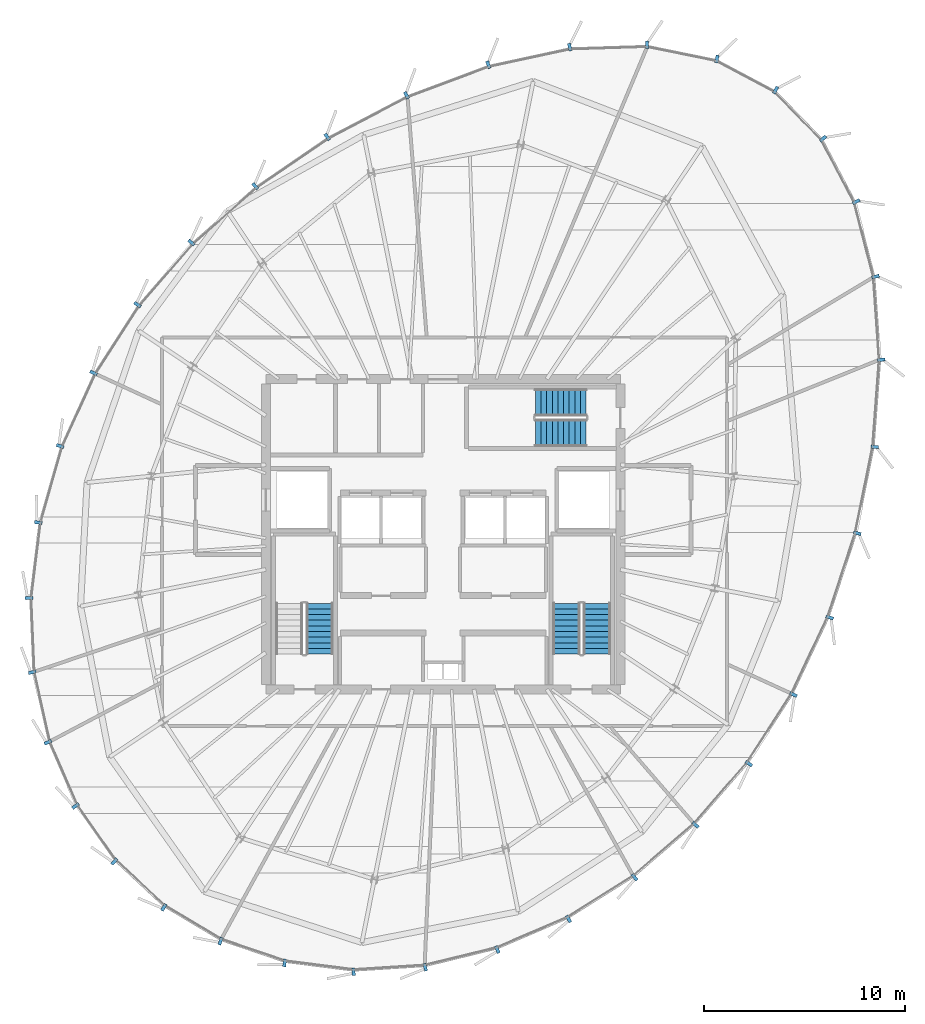
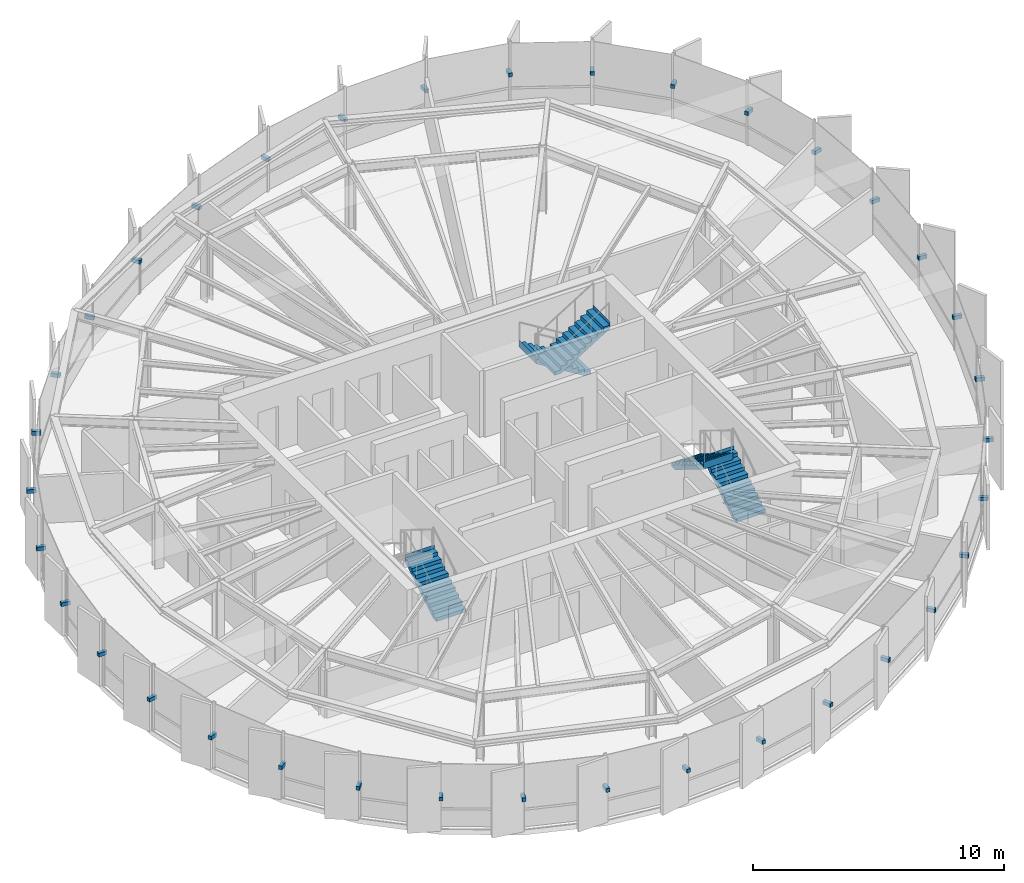
# One storey, part 31 of 35: 36 discrete accessories, 5 stair flights, 3 elements without a shape of their own.
"""IFC4 building model written with IfcOpenShell, lengths in metres."""

from ifc_helpers import new_model, si_unit, direction, frame, origin, origin_2d, place, context, subcontext, project, spatial, polyline, rectangle, outline, extrude, source, transform, mapped, material, type_object, element, aggregate, save


model = new_model("IFC4")

# Units and contexts
model_context = context("Model", 3, precision=1e-05, world=origin(), true_north=direction((0.0, 1.0)))
body_context = subcontext(model_context, "Body", "Model", "MODEL_VIEW")
ifc_project = project(units=[si_unit("LENGTHUNIT", "METRE"), si_unit("AREAUNIT", "SQUARE_METRE"), si_unit("VOLUMEUNIT", "CUBIC_METRE"), si_unit("PLANEANGLEUNIT", "RADIAN"), si_unit("MASSUNIT", "GRAM", prefix="KILO"), si_unit("THERMODYNAMICTEMPERATUREUNIT", "KELVIN")], contexts=[model_context])

# Site, building, storey
site_placement = place(None, origin())
site = spatial("IfcSite", under=ifc_project, at=site_placement, CompositionType="ELEMENT")
building_placement = place(site_placement, origin())
building = spatial("IfcBuilding", under=site, at=building_placement, Name="Kethvar Cultural Tower", CompositionType="ELEMENT")
storey_placement = place(building_placement, frame((0.0, 0.0, 249.10009765625)))
storey = spatial("IfcBuildingStorey", under=building, at=storey_placement, Name="L65", CompositionType="ELEMENT", Elevation=249.10009765625)

# Stair, stair flight
ifc_material_1 = material(Name="Concrete C40/50", Category="concrete")
stair_type = type_object("IfcStairType", Name="ST-DOGLEG-135", PredefinedType="HALF_TURN_STAIR", material=ifc_material_1)
stair_1_placement = place(storey_placement, origin())
stair_1 = element("IfcStair", 1, at=stair_1_placement, inside=storey, type_object=stair_type, Name="L65 Core Exit Stair 1", PredefinedType="HALF_TURN_STAIR")
stair_flight_type = type_object("IfcStairFlightType", Name="FL-STRAIGHT-135", PredefinedType="STRAIGHT", material=ifc_material_1)
stair_flight_1_placement = place(storey_placement, frame((40.675048828125, 21.85009765625, 0.0), z_axis=(0.0, 0.0, 1.0), x_axis=(0.0, 1.0, 0.0)))
stair_flight_1 = element("IfcStairFlight", 2, at=stair_flight_1_placement, type_object=stair_flight_type, Name="ST-01 flight 1", NumberOfRisers=10, NumberOfTreads=9, PredefinedType="STRAIGHT", RiserHeight=0.1725, TreadLength=0.28, context=body_context, shape_type="SweptSolid", body=[
    extrude(outline(polyline([(-0.0009765625, -0.0009765625), (-0.0009765625, 0.172607421875), (0.280029296875, 0.172607421875), (0.280029296875, 0.344970703125), (0.56005859375, 0.344970703125), (0.56005859375, 0.517578125), (0.840087890625, 0.517578125), (0.840087890625, 0.68994140625), (1.1201171875, 0.68994140625), (1.1201171875, 0.862548828125), (1.39990234375, 0.862548828125), (1.39990234375, 1.034912109375), (1.679931640625, 1.034912109375), (1.679931640625, 1.20751953125), (1.9599609375, 1.20751953125), (1.9599609375, 1.3798828125), (2.239990234375, 1.3798828125), (2.239990234375, 1.552490234375), (2.52001953125, 1.552490234375), (2.52001953125, 1.72509765625), (2.52099609375, 1.72509765625), (2.52099609375, 1.37646484375), (0.285888671875, 0.0), (0.0, -0.0009765625), (-0.0009765625, -0.0009765625)])), frame((0.0, 0.675048828125, 0.0), z_axis=(0.0, -1.0, 0.0), x_axis=(1.0, 0.0, 0.0)), (0.0, 0.0, 1.0), 1.35009765625),
])
aggregate(stair_1, [stair_flight_1])

# Stair, stair flights
stair_2_placement = place(storey_placement, origin())
stair_2 = element("IfcStair", 3, at=stair_2_placement, inside=storey, type_object=stair_type, Name="L65 Core Exit Stair 2", PredefinedType="HALF_TURN_STAIR")
stair_flight_2_placement = place(storey_placement, frame((54.43505859375, 21.85009765625, 0.0), z_axis=(0.0, 0.0, 1.0), x_axis=(0.0, 1.0, 0.0)))
stair_flight_2 = element("IfcStairFlight", 4, at=stair_flight_2_placement, type_object=stair_flight_type, Name="ST-02 flight 1", NumberOfRisers=10, NumberOfTreads=9, PredefinedType="STRAIGHT", RiserHeight=0.1725, TreadLength=0.28, context=body_context, shape_type="SweptSolid", body=[
    extrude(outline(polyline([(-0.0009765625, -0.0009765625), (-0.0009765625, 0.172607421875), (0.280029296875, 0.172607421875), (0.280029296875, 0.344970703125), (0.56005859375, 0.344970703125), (0.56005859375, 0.517578125), (0.840087890625, 0.517578125), (0.840087890625, 0.68994140625), (1.1201171875, 0.68994140625), (1.1201171875, 0.862548828125), (1.39990234375, 0.862548828125), (1.39990234375, 1.034912109375), (1.679931640625, 1.034912109375), (1.679931640625, 1.20751953125), (1.9599609375, 1.20751953125), (1.9599609375, 1.3798828125), (2.239990234375, 1.3798828125), (2.239990234375, 1.552490234375), (2.52001953125, 1.552490234375), (2.52001953125, 1.72509765625), (2.52099609375, 1.72509765625), (2.52099609375, 1.37646484375), (0.285888671875, 0.0), (0.0, -0.0009765625), (-0.0009765625, -0.0009765625)])), frame((0.0, 0.675048828125, 0.0), z_axis=(0.0, -1.0, 0.0), x_axis=(1.0, 0.0, 0.0)), (0.0, 0.0, 1.0), 1.35009765625),
])
stair_flight_3_placement = place(storey_placement, frame((52.925048828125, 24.3701171875, 1.724853515625), z_axis=(0.0, 0.0, 1.0), x_axis=(0.0, -1.0, 0.0)))
stair_flight_3 = element("IfcStairFlight", 5, at=stair_flight_3_placement, type_object=stair_flight_type, Name="ST-02 flight 2", NumberOfRisers=10, NumberOfTreads=9, PredefinedType="STRAIGHT", RiserHeight=0.1725, TreadLength=0.28, context=body_context, shape_type="SweptSolid", body=[
    extrude(outline(polyline([(-0.0009765625, -0.0009765625), (-0.0009765625, 0.172607421875), (0.280029296875, 0.172607421875), (0.280029296875, 0.344970703125), (0.56005859375, 0.344970703125), (0.56005859375, 0.517578125), (0.840087890625, 0.517578125), (0.840087890625, 0.68994140625), (1.1201171875, 0.68994140625), (1.1201171875, 0.862548828125), (1.39990234375, 0.862548828125), (1.39990234375, 1.034912109375), (1.679931640625, 1.034912109375), (1.679931640625, 1.20751953125), (1.9599609375, 1.20751953125), (1.9599609375, 1.3798828125), (2.239990234375, 1.3798828125), (2.239990234375, 1.552490234375), (2.52001953125, 1.552490234375), (2.52001953125, 1.72509765625), (2.52099609375, 1.72509765625), (2.52099609375, 1.37646484375), (0.285888671875, 0.0), (0.0, -0.0009765625), (-0.0009765625, -0.0009765625)])), frame((0.0, 0.675048828125, 0.0), z_axis=(0.0, -1.0, 0.0), x_axis=(1.0, 0.0, 0.0)), (0.0, 0.0, 1.0), 1.35009765625),
])
aggregate(stair_2, [stair_flight_2, stair_flight_3])

stair_3_placement = place(storey_placement, origin())
stair_3 = element("IfcStair", 6, at=stair_3_placement, inside=storey, type_object=stair_type, Name="L65 Core Exit Stair 3", PredefinedType="HALF_TURN_STAIR")
stair_flight_4_placement = place(storey_placement, frame((53.89990234375, 34.3349609375, 0.0), z_axis=(0.0, 0.0, 1.0), x_axis=(-1.0, 0.0, 0.0)))
stair_flight_4 = element("IfcStairFlight", 7, at=stair_flight_4_placement, type_object=stair_flight_type, Name="ST-03 flight 1", NumberOfRisers=10, NumberOfTreads=9, PredefinedType="STRAIGHT", RiserHeight=0.1725, TreadLength=0.28, context=body_context, shape_type="SweptSolid", body=[
    extrude(outline(polyline([(-0.0009765625, -0.0009765625), (-0.0009765625, 0.172607421875), (0.280029296875, 0.172607421875), (0.280029296875, 0.344970703125), (0.56005859375, 0.344970703125), (0.56005859375, 0.517578125), (0.840087890625, 0.517578125), (0.840087890625, 0.68994140625), (1.1201171875, 0.68994140625), (1.1201171875, 0.862548828125), (1.39990234375, 0.862548828125), (1.39990234375, 1.034912109375), (1.679931640625, 1.034912109375), (1.679931640625, 1.20751953125), (1.9599609375, 1.20751953125), (1.9599609375, 1.3798828125), (2.239990234375, 1.3798828125), (2.239990234375, 1.552490234375), (2.52001953125, 1.552490234375), (2.52001953125, 1.72509765625), (2.52099609375, 1.72509765625), (2.52099609375, 1.37646484375), (0.285888671875, 0.0), (0.0, -0.0009765625), (-0.0009765625, -0.0009765625)])), frame((0.0, 0.675048828125, 0.0), z_axis=(0.0, -1.0, 0.0), x_axis=(1.0, 0.0, 0.0)), (0.0, 0.0, 1.0), 1.35009765625),
])
stair_flight_5_placement = place(storey_placement, frame((51.3798828125, 32.824951171875, 1.724853515625), z_axis=(0.0, 0.0, 1.0), x_axis=(1.0, 0.0, 0.0)))
stair_flight_5 = element("IfcStairFlight", 8, at=stair_flight_5_placement, type_object=stair_flight_type, Name="ST-03 flight 2", NumberOfRisers=10, NumberOfTreads=9, PredefinedType="STRAIGHT", RiserHeight=0.1725, TreadLength=0.28, context=body_context, shape_type="SweptSolid", body=[
    extrude(outline(polyline([(-0.0009765625, -0.0009765625), (-0.0009765625, 0.172607421875), (0.280029296875, 0.172607421875), (0.280029296875, 0.344970703125), (0.56005859375, 0.344970703125), (0.56005859375, 0.517578125), (0.840087890625, 0.517578125), (0.840087890625, 0.68994140625), (1.1201171875, 0.68994140625), (1.1201171875, 0.862548828125), (1.39990234375, 0.862548828125), (1.39990234375, 1.034912109375), (1.679931640625, 1.034912109375), (1.679931640625, 1.20751953125), (1.9599609375, 1.20751953125), (1.9599609375, 1.3798828125), (2.239990234375, 1.3798828125), (2.239990234375, 1.552490234375), (2.52001953125, 1.552490234375), (2.52001953125, 1.72509765625), (2.52099609375, 1.72509765625), (2.52099609375, 1.37646484375), (0.285888671875, 0.0), (0.0, -0.0009765625), (-0.0009765625, -0.0009765625)])), frame((0.0, 0.675048828125, 0.0), z_axis=(0.0, -1.0, 0.0), x_axis=(1.0, 0.0, 0.0)), (0.0, 0.0, 1.0), 1.35009765625),
])
aggregate(stair_3, [stair_flight_4, stair_flight_5])

# Discrete accessories
ifc_material_2 = material(Name="Steel S355J2", Category="steel")
discrete_accessory_type = type_object("IfcDiscreteAccessoryType", Name="Steel Fin Bracket BRK-01", PredefinedType="BRACKET", material=ifc_material_2)
shared_shape = source(origin(), body_context, "Body", "SweptSolid", [
    extrude(rectangle(XDim=0.3798828125, YDim=0.159912109375, at=origin_2d()), origin(), (0.0, 0.0, 1.0), 0.179931640625),
])
for number, where, z_axis, x_axis, name in (
    (9, (63.301513671875, 49.839111328125, 1.51513671875), (0.0, 0.0, 1.0), (0.469163327338, 0.883111415554, 0.0), "L65 Terracotta Fin Bracket 1.1"),
    (10, (60.38720703125, 51.386962890625, 1.51513671875), (0.0, 0.0, 1.0), (0.200393999665, 0.979715389742, 0.0), "L65 Terracotta Fin Bracket 1.2"),
    (11, (56.92431640625, 52.0947265625, 1.51513671875), (0.0, 0.0, 1.0), (-0.031236311797, 0.999512027354, 0.0), "L65 Terracotta Fin Bracket 1.3"),
    (12, (53.0869140625, 51.974609375, 1.51513671875), (0.0, 0.0, 1.0), (-0.210983601077, 0.977489601007, 0.0), "L65 Terracotta Fin Bracket 1.4"),
    (13, (49.045166015625, 51.101806640625, 1.51513671875), (0.0, 0.0, 1.0), (-0.350043895789, 0.9367332977, 0.0), "L65 Terracotta Fin Bracket 1.5"),
    (14, (44.98193359375, 49.583251953125, 1.51513671875), (0.0, 0.0, 1.0), (-0.463914608979, 0.885879921646, 0.0), "L65 Terracotta Fin Bracket 1.6"),
    (15, (41.044677734375, 47.51611328125, 1.51513671875), (0.0, 0.0, 1.0), (-0.565254987944, 0.824916237326, 0.0), "L65 Terracotta Fin Bracket 2.1"),
    (16, (37.476318359375, 45.071044921875, 1.51513671875), (0.0, 0.0, 1.0), (-0.661704531892, 0.74976470474, 0.0), "L65 Terracotta Fin Bracket 2.2"),
    (17, (34.3056640625, 42.273193359375, 1.51513671875), (0.0, 0.0, 1.0), (-0.755281812285, 0.655400170912, 0.0), "L65 Terracotta Fin Bracket 2.3"),
    (18, (31.6298828125, 39.189208984375, 1.51513671875), (0.0, 0.0, 1.0), (-0.840566603496, 0.541708210283, 0.0), "L65 Terracotta Fin Bracket 2.4"),
    (19, (29.4482421875, 35.80322265625, 1.51513671875), (0.0, 0.0, 1.0), (-0.909888879393, 0.414852054542, 0.0), "L65 Terracotta Fin Bracket 2.5"),
    (20, (27.79345703125, 32.17431640625, 1.51513671875), (0.0, 0.0, 1.0), (-0.961357852961, 0.2753017954, 0.0), "L65 Terracotta Fin Bracket 2.6"),
    (21, (26.712158203125, 28.376953125, 1.51513671875), (0.0, 0.0, 1.0), (-0.992460828919, 0.122562241583, 0.0), "L65 Terracotta Fin Bracket 3.1"),
    (22, (26.24951171875, 24.631591796875, 1.51513671875), (0.0, 0.0, 1.0), (-0.9990933519, -0.042573162788, 0.0), "L65 Terracotta Fin Bracket 3.2"),
    (23, (26.40673828125, 20.947265625, 1.51513671875), (0.0, 0.0, 1.0), (-0.975916761939, -0.218143241397, 0.0), "L65 Terracotta Fin Bracket 3.3"),
    (24, (27.18408203125, 17.470703125, 1.51513671875), (0.0, 0.0, 1.0), (-0.917268733191, -0.398268842755, 0.0), "L65 Terracotta Fin Bracket 3.4"),
    (25, (28.55712890625, 14.30810546875, 1.51513671875), (0.0, 0.0, 1.0), (-0.819152044289, -0.573576436351, 0.0), "L65 Terracotta Fin Bracket 3.5"),
    (26, (30.485107421875, 11.555419921875, 1.51513671875), (0.0, 0.0, 1.0), (-0.681870704375, -0.731472721648, 0.0), "L65 Terracotta Fin Bracket 3.6"),
    (27, (32.939208984375, 9.278076171875, 1.51513671875), (0.0, 0.0, 1.0), (-0.512192773854, -0.858870515509, 0.0), "L65 Terracotta Fin Bracket 4.1"),
    (28, (35.754150390625, 7.599853515625, 1.51513671875), (0.0, 0.0, 1.0), (-0.322265695231, -0.946649260116, 0.0), "L65 Terracotta Fin Bracket 4.2"),
    (29, (38.935302734375, 6.51708984375, 1.51513671875), (0.0, 0.0, 1.0), (-0.126545236492, -0.991960837494, 0.0), "L65 Terracotta Fin Bracket 4.3"),
    (30, (42.35546875, 6.0810546875, 1.51513671875), (0.0, 0.0, 1.0), (0.062790519529, -0.998026728428, 0.0), "L65 Terracotta Fin Bracket 4.4"),
    (31, (45.910400390625, 6.304931640625, 1.51513671875), (0.0, 0.0, 1.0), (0.237855419878, -0.971300571005, 0.0), "L65 Terracotta Fin Bracket 4.5"),
    (32, (49.492431640625, 7.181884765625, 1.51513671875), (0.0, 0.0, 1.0), (0.394583491055, -0.918860091955, 0.0), "L65 Terracotta Fin Bracket 4.6"),
    (33, (53.022705078125, 8.70458984375, 1.51513671875), (0.0, 0.0, 1.0), (0.532580866475, -0.846379123481, 0.0), "L65 Terracotta Fin Bracket 5.1"),
    (34, (56.304443359375, 10.76953125, 1.51513671875), (0.0, 0.0, 1.0), (0.652230713301, -0.758020512009, 0.0), "L65 Terracotta Fin Bracket 5.2"),
    (35, (59.327392578125, 13.37109375, 1.51513671875), (0.0, 0.0, 1.0), (0.754709580223, -0.656059028991, 0.0), "L65 Terracotta Fin Bracket 5.3"),
    (36, (61.97021484375, 16.410888671875, 1.51513671875), (0.0, 0.0, 1.0), (0.840093553899, -0.542441536663, 0.0), "L65 Terracotta Fin Bracket 5.4"),
    (37, (64.184814453125, 19.8408203125, 1.51513671875), (0.0, 0.0, 1.0), (0.904603990929, -0.426252999515, 0.0), "L65 Terracotta Fin Bracket 5.5"),
    (38, (65.987060546875, 23.666015625, 1.51513671875), (0.0, 0.0, 1.0), (0.949862968197, -0.312666502279, 0.0), "L65 Terracotta Fin Bracket 5.6"),
    (39, (67.357421875, 27.843994140625, 1.51513671875), (0.0, 0.0, 1.0), (0.980132944892, -0.198341650538, 0.0), "L65 Terracotta Fin Bracket 6.1"),
    (40, (68.2255859375, 32.1328125, 1.51513671875), (0.0, 0.0, 1.0), (0.997198204594, -0.074804684047, 0.0), "L65 Terracotta Fin Bracket 6.2"),
    (41, (68.550048828125, 36.45849609375, 1.51513671875), (0.0, 0.0, 1.0), (0.997539639882, 0.070104685031, 0.0), "L65 Terracotta Fin Bracket 6.3"),
    (42, (68.26025390625, 40.58349609375, 1.51513671875), (0.0, 0.0, 1.0), (0.968539741803, 0.248858933029, 0.0), "L65 Terracotta Fin Bracket 6.4"),
    (43, (67.3046875, 44.302490234375, 1.51513671875), (0.0, 0.0, 1.0), (0.88490635892, 0.465768972714, 0.0), "L65 Terracotta Fin Bracket 6.5"),
    (44, (65.658203125, 47.4306640625, 1.51513671875), (0.0, 0.0, 1.0), (0.717153920498, 0.696914811375, 0.0), "L65 Terracotta Fin Bracket 6.6"),
):
    element("IfcDiscreteAccessory", number, at=place(storey_placement, frame(where, z_axis=z_axis, x_axis=x_axis)), inside=storey, type_object=discrete_accessory_type, Name=name, PredefinedType="BRACKET", context=body_context, shape_type="MappedRepresentation", body=[
        mapped(shared_shape, transform((0.0, 0.0, 0.0), scale=1.0)),
    ])

save(model, "model.ifc")
